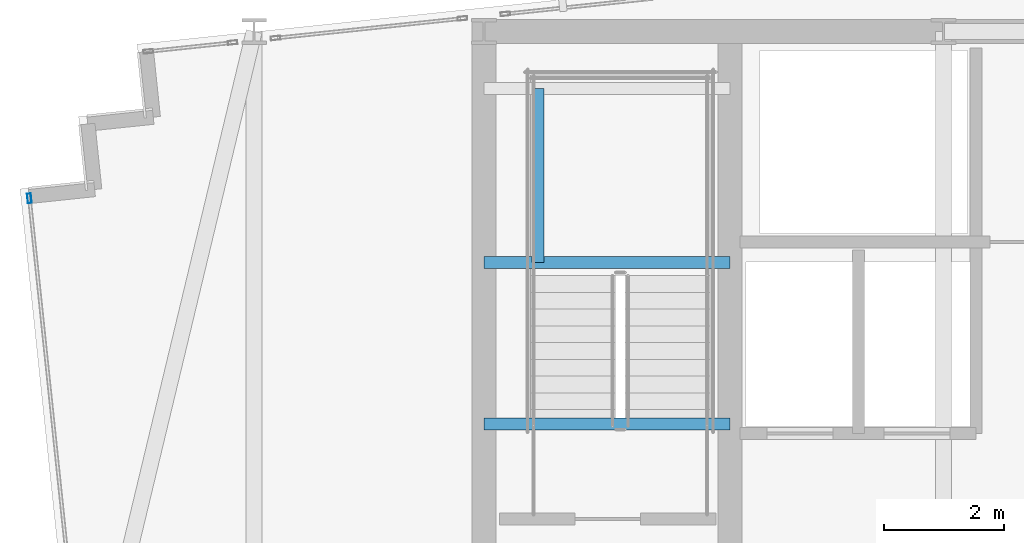
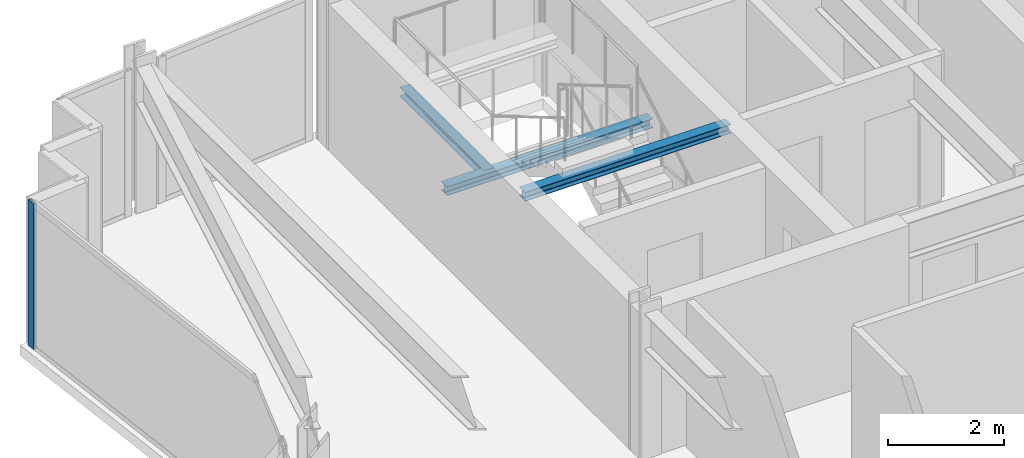
# One storey, part 12 of 32: 3 beams, 1 member, 1 element without a shape of its own.
"""IFC4 building model written with IfcOpenShell, lengths in metres."""

from ifc_helpers import new_model, si_unit, direction, frame, origin, origin_2d, place, context, subcontext, project, spatial, hollow_rectangle, i_section, extrude, material, material_profile, profile_set, type_object, element, aggregate, save


model = new_model("IFC4")

# Units and contexts
model_context = context("Model", 3, precision=1e-05, world=origin(), true_north=direction((0.0, 1.0)))
body_context = subcontext(model_context, "Body", "Model", "MODEL_VIEW")
ifc_project = project(units=[si_unit("LENGTHUNIT", "METRE"), si_unit("AREAUNIT", "SQUARE_METRE"), si_unit("VOLUMEUNIT", "CUBIC_METRE"), si_unit("PLANEANGLEUNIT", "RADIAN"), si_unit("MASSUNIT", "GRAM", prefix="KILO")], contexts=[model_context])

# Site, building, storey
site_placement = place(None, origin())
site = spatial("IfcSite", under=ifc_project, at=site_placement, CompositionType="ELEMENT")
building_placement = place(site_placement, origin())
building = spatial("IfcBuilding", under=site, at=building_placement, Name="Yelkora Congress Tower", CompositionType="ELEMENT")
storey_placement = place(building_placement, frame((0.0, 0.0, 217.699951171875)))
storey = spatial("IfcBuildingStorey", under=building, at=storey_placement, Name="L60", CompositionType="ELEMENT", Elevation=217.699951171875)

# Beams
ifc_material_1 = material(Name="Steel S355J2", Category="steel")
ifc_material_profile_1 = material_profile(ifc_material_1, i_section(OverallWidth=0.199951171875, OverallDepth=0.18994140625, WebThickness=0.006591796875, FlangeThickness=0.010009765625, FilletRadius=0.01806640625, at=origin_2d()), Name="HEA 200")
ifc_profile_set_1 = profile_set([ifc_material_profile_1], Name="Steel S355J2")
beam_type = type_object("IfcBeamType", Name="BM-LAND-HEA200", PredefinedType="BEAM", material=ifc_profile_set_1)
beam_1_placement = place(storey_placement, frame((23.0400390625, 42.340087890625, 1.334716796875), z_axis=(1.0, 0.0, 0.0), x_axis=(0.0, 1.0, 0.0)))
element("IfcBeam", 1, at=beam_1_placement, inside=storey, type_object=beam_type, Name="ST-01 L60 Landing Header Beam 1S", PredefinedType="BEAM", context=body_context, shape_type="SweptSolid", body=[
    extrude(i_section(OverallWidth=0.199951171875, OverallDepth=0.18994140625, WebThickness=0.006591796875, FlangeThickness=0.010009765625, FilletRadius=0.01806640625, at=origin_2d()), origin(), (0.0, 0.0, 1.0), 4.10986328125),
])
beam_2_placement = place(storey_placement, frame((23.93994140625, 42.340087890625, 1.334716796875), z_axis=(0.0, 1.0, 0.0), x_axis=(-1.0, 0.0, 0.0)))
element("IfcBeam", 2, at=beam_2_placement, inside=storey, type_object=beam_type, Name="ST-01 L60 Landing Trimmer Beam 1M", PredefinedType="BEAM", context=body_context, shape_type="SweptSolid", body=[
    extrude(i_section(OverallWidth=0.199951171875, OverallDepth=0.18994140625, WebThickness=0.006591796875, FlangeThickness=0.010009765625, FilletRadius=0.01806640625, at=origin_2d()), origin(), (0.0, 0.0, 1.0), 2.909912109375),
])
beam_3_placement = place(storey_placement, frame((23.0400390625, 39.639892578125, 2.85400390625), z_axis=(1.0, 0.0, 0.0), x_axis=(0.0, 1.0, 0.0)))
element("IfcBeam", 3, at=beam_3_placement, inside=storey, type_object=beam_type, Name="ST-01 L60 Floor Arrival Stringer Header Beam", PredefinedType="BEAM", context=body_context, shape_type="SweptSolid", body=[
    extrude(i_section(OverallWidth=0.199951171875, OverallDepth=0.18994140625, WebThickness=0.006591796875, FlangeThickness=0.010009765625, FilletRadius=0.01806640625, at=origin_2d()), origin(), (0.0, 0.0, 1.0), 4.10986328125),
])

# Curtain wall, member
ifc_material_2 = material(Name="Anodised aluminium and insulated glass", Category="aluminium")
curtain_wall_type = type_object("IfcCurtainWallType", Name="CW-SYS-B4", PredefinedType="NOTDEFINED", material=ifc_material_2)
curtain_wall_placement = place(storey_placement, origin())
curtain_wall = element("IfcCurtainWall", 4, at=curtain_wall_placement, inside=storey, type_object=curtain_wall_type, Name="L60 Unitised Curtain Wall 5", PredefinedType="NOTDEFINED")
ifc_material_3 = material(Name="Anodised aluminium 6063-T6", Category="aluminium")
ifc_material_profile_2 = material_profile(ifc_material_3, hollow_rectangle(XDim=0.06494140625, YDim=0.159912109375, WallThickness=0.00390625, at=origin_2d()), Name="ALU 65x160x4")
ifc_profile_set_2 = profile_set([ifc_material_profile_2], Name="Anodised aluminium 6063-T6")
member_type = type_object("IfcMemberType", Name="MEM-ML-B4", PredefinedType="MULLION", material=ifc_profile_set_2)
member_placement = place(storey_placement, frame((15.444580078125, 43.412353515625, 0.0), z_axis=(0.0, 0.0, 1.0), x_axis=(-0.994522145958, -0.104526079034, 0.0)))
member = element("IfcMember", 5, at=member_placement, type_object=member_type, Name="CW-B4 mullion 5", PredefinedType="MULLION", context=body_context, shape_type="SweptSolid", body=[
    extrude(hollow_rectangle(XDim=0.06494140625, YDim=0.159912109375, WallThickness=0.00390625, at=origin_2d()), origin(), (0.0, 0.0, 1.0), 3.080078125),
])
aggregate(curtain_wall, [member])

save(model, "model.ifc")
